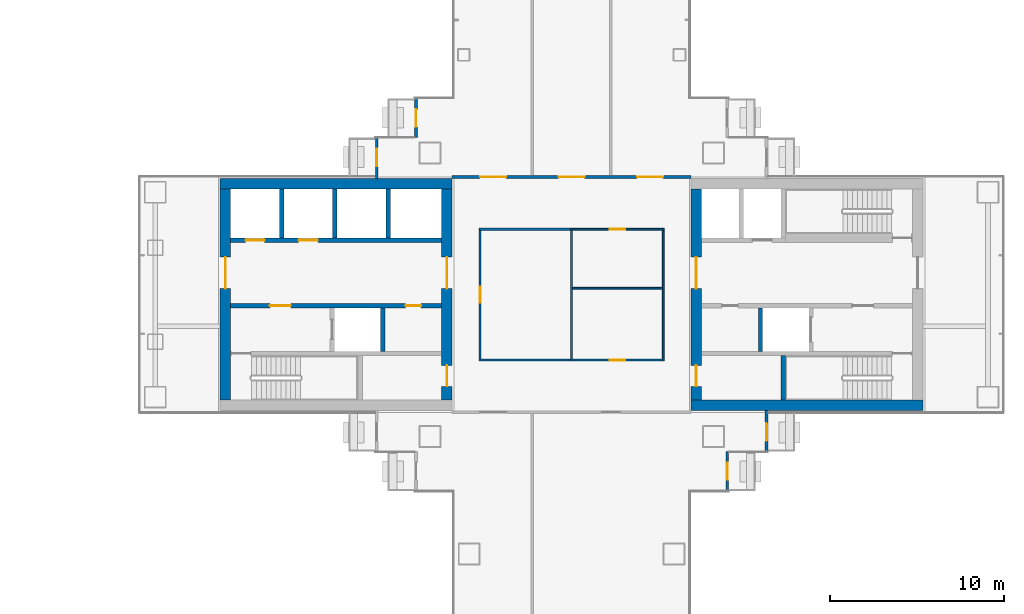
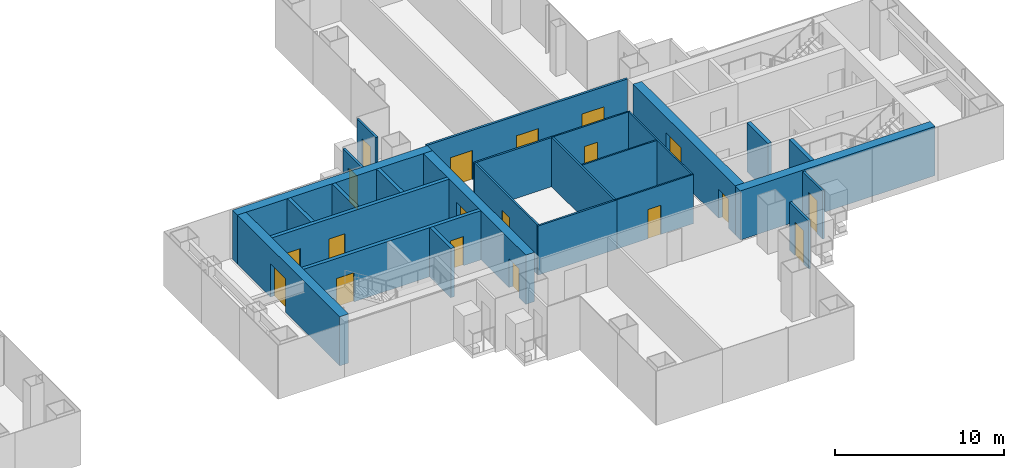
# One storey, part 15 of 20: 26 walls, 19 doors, 19 openings.
"""IFC4 building model written with IfcOpenShell, lengths in metres."""

from ifc_helpers import new_model, si_unit, direction, frame, frame_2d, origin, place, context, subcontext, project, spatial, rectangle, extrude, material, layer, layer_set, type_object, element, fill, save


model = new_model("IFC4")

# Units and contexts
model_context = context("Model", 3, precision=1e-05, world=origin(), true_north=direction((0.0, 1.0)))
body_context = subcontext(model_context, "Body", "Model", "MODEL_VIEW")
ifc_project = project(units=[si_unit("LENGTHUNIT", "METRE"), si_unit("AREAUNIT", "SQUARE_METRE"), si_unit("VOLUMEUNIT", "CUBIC_METRE"), si_unit("PLANEANGLEUNIT", "RADIAN"), si_unit("MASSUNIT", "GRAM", prefix="KILO")], contexts=[model_context])

# Site, building, storey
site_placement = place(None, origin())
site = spatial("IfcSite", under=ifc_project, at=site_placement, CompositionType="ELEMENT")
building_placement = place(site_placement, origin())
building = spatial("IfcBuilding", under=site, at=building_placement, Name="Shamsa Quay Exchange Towers", CompositionType="ELEMENT")
storey_placement = place(building_placement, frame((0.0, 0.0, 120.89990234375)))
storey = spatial("IfcBuildingStorey", under=building, at=storey_placement, Name="L28", CompositionType="ELEMENT", Elevation=120.89990234375)

# Wall, opening, door
ifc_material_1 = material(Name="Aluminium EN AW-6063 T6, black anodised, with black enamelled glass infill", Category="aluminium")
ifc_layer_1 = layer(ifc_material_1, 0.14990234375)
ifc_layer_set_1 = layer_set([ifc_layer_1], Name="BALCONY DOOR BAY WALL 150")
wall_type_1 = type_object("IfcWallType", Name="BALCONY DOOR BAY WALL 150", PredefinedType="SOLIDWALL", material=ifc_layer_set_1)
wall_1_placement = place(storey_placement, frame((24.824951171875, 9.0, 0.0), z_axis=(0.0, 0.0, 1.0), x_axis=(0.0, 1.0, 0.0)))
wall_1 = element("IfcWall", 1, at=wall_1_placement, inside=storey, type_object=wall_type_1, Name="Door bay T2-PKEN L28", PredefinedType="SOLIDWALL", context=body_context, shape_type="SweptSolid", body=[
    extrude(rectangle(XDim=2.25, YDim=0.14990234375, at=frame_2d((1.125, 0.0))), origin(), (0.0, 0.0, 1.0), 3.4501953125),
])
opening_1_placement = place(wall_1_placement, frame((0.625, 0.0, 0.0)))
opening_1 = element("IfcOpeningElement", 2, at=opening_1_placement, cuts=wall_1, Name="Opening XD177", PredefinedType="OPENING", context=body_context, shape_type="SweptSolid", body=[
    extrude(rectangle(XDim=1.0, YDim=2.39990234375, at=frame_2d((0.5, 1.199951171875))), frame((0.0, 0.0849609375, 0.0), z_axis=(0.0, -1.0, 0.0), x_axis=(1.0, 0.0, 0.0)), (0.0, 0.0, 1.0), 0.169921875),
])
ifc_material_2 = material(Name="Aluminium EN AW-6063 T6, black anodised, with laminated glass leaf", Category="aluminium")
door_type_1 = type_object("IfcDoorType", Name="BALCONY DOOR 1000x2400", OperationType="SINGLE_SWING_LEFT", PredefinedType="DOOR", material=ifc_material_2)
door_1_placement = place(opening_1_placement, origin())
door_1 = element("IfcDoor", 3, at=door_1_placement, inside=storey, type_object=door_type_1, Name="Balcony door T2-PKEN L28", OperationType="SINGLE_SWING_RIGHT", OverallHeight=2.39990234375, OverallWidth=1.0, PredefinedType="DOOR", context=body_context, shape_type="SweptSolid", body=[
    extrude(rectangle(XDim=1.0, YDim=2.39990234375, at=frame_2d((0.5, 1.199951171875))), frame((0.0, 0.02490234375, 0.0), z_axis=(0.0, -1.0, 0.0), x_axis=(1.0, 0.0, 0.0)), (0.0, 0.0, 1.0), 0.050048828125),
])
fill(opening_1, door_1)

wall_2_placement = place(storey_placement, frame((22.574951171875, 6.64306640625, 0.0), z_axis=(0.0, 0.0, 1.0), x_axis=(0.0, 1.0, 0.0)))
wall_2 = element("IfcWall", 4, at=wall_2_placement, inside=storey, type_object=wall_type_1, Name="Door bay T2-PKEN L28", PredefinedType="SOLIDWALL", context=body_context, shape_type="SweptSolid", body=[
    extrude(rectangle(XDim=2.35693359375, YDim=0.14990234375, at=frame_2d((1.178466796875, 0.0))), origin(), (0.0, 0.0, 1.0), 3.4501953125),
])
opening_2_placement = place(wall_2_placement, frame((0.73193359375, 0.0, 0.0)))
opening_2 = element("IfcOpeningElement", 5, at=opening_2_placement, cuts=wall_2, Name="Opening XD178", PredefinedType="OPENING", context=body_context, shape_type="SweptSolid", body=[
    extrude(rectangle(XDim=1.0, YDim=2.39990234375, at=frame_2d((0.5, 1.199951171875))), frame((0.0, 0.0849609375, 0.0), z_axis=(0.0, -1.0, 0.0), x_axis=(1.0, 0.0, 0.0)), (0.0, 0.0, 1.0), 0.169921875),
])
door_2_placement = place(opening_2_placement, origin())
door_2 = element("IfcDoor", 6, at=door_2_placement, inside=storey, type_object=door_type_1, Name="Balcony door T2-PKEN L28", OperationType="SINGLE_SWING_LEFT", OverallHeight=2.39990234375, OverallWidth=1.0, PredefinedType="DOOR", context=body_context, shape_type="SweptSolid", body=[
    extrude(rectangle(XDim=1.0, YDim=2.39990234375, at=frame_2d((0.5, 1.199951171875))), frame((0.0, 0.02490234375, 0.0), z_axis=(0.0, -1.0, 0.0), x_axis=(1.0, 0.0, 0.0)), (0.0, 0.0, 1.0), 0.050048828125),
])
fill(opening_2, door_2)

wall_3_placement = place(storey_placement, frame((42.675048828125, -9.0, 0.0), z_axis=(0.0, 0.0, 1.0), x_axis=(0.0, -1.0, 0.0)))
wall_3 = element("IfcWall", 7, at=wall_3_placement, inside=storey, type_object=wall_type_1, Name="Door bay T2-PKWS L28", PredefinedType="SOLIDWALL", context=body_context, shape_type="SweptSolid", body=[
    extrude(rectangle(XDim=2.25, YDim=0.14990234375, at=frame_2d((1.125, 0.0))), origin(), (0.0, 0.0, 1.0), 3.4501953125),
])
opening_3_placement = place(wall_3_placement, frame((0.625, 0.0, 0.0)))
opening_3 = element("IfcOpeningElement", 8, at=opening_3_placement, cuts=wall_3, Name="Opening XD183", PredefinedType="OPENING", context=body_context, shape_type="SweptSolid", body=[
    extrude(rectangle(XDim=1.0, YDim=2.39990234375, at=frame_2d((0.5, 1.199951171875))), frame((0.0, 0.0849609375, 0.0), z_axis=(0.0, -1.0, 0.0), x_axis=(1.0, 0.0, 0.0)), (0.0, 0.0, 1.0), 0.169921875),
])
door_3_placement = place(opening_3_placement, origin())
door_3 = element("IfcDoor", 9, at=door_3_placement, inside=storey, type_object=door_type_1, Name="Balcony door T2-PKWS L28", OperationType="SINGLE_SWING_LEFT", OverallHeight=2.39990234375, OverallWidth=1.0, PredefinedType="DOOR", context=body_context, shape_type="SweptSolid", body=[
    extrude(rectangle(XDim=1.0, YDim=2.39990234375, at=frame_2d((0.5, 1.199951171875))), frame((0.0, 0.02490234375, 0.0), z_axis=(0.0, -1.0, 0.0), x_axis=(1.0, 0.0, 0.0)), (0.0, 0.0, 1.0), 0.050048828125),
])
fill(opening_3, door_3)

wall_4_placement = place(storey_placement, frame((44.925048828125, -6.64306640625, 0.0), z_axis=(0.0, 0.0, 1.0), x_axis=(0.0, -1.0, 0.0)))
wall_4 = element("IfcWall", 10, at=wall_4_placement, inside=storey, type_object=wall_type_1, Name="Door bay T2-PKWS L28", PredefinedType="SOLIDWALL", context=body_context, shape_type="SweptSolid", body=[
    extrude(rectangle(XDim=2.35693359375, YDim=0.14990234375, at=frame_2d((1.178466796875, 0.0))), origin(), (0.0, 0.0, 1.0), 3.4501953125),
])
opening_4_placement = place(wall_4_placement, frame((0.73193359375, 0.0, 0.0)))
opening_4 = element("IfcOpeningElement", 11, at=opening_4_placement, cuts=wall_4, Name="Opening XD184", PredefinedType="OPENING", context=body_context, shape_type="SweptSolid", body=[
    extrude(rectangle(XDim=1.0, YDim=2.39990234375, at=frame_2d((0.5, 1.199951171875))), frame((0.0, 0.0849609375, 0.0), z_axis=(0.0, -1.0, 0.0), x_axis=(1.0, 0.0, 0.0)), (0.0, 0.0, 1.0), 0.169921875),
])
door_4_placement = place(opening_4_placement, origin())
door_4 = element("IfcDoor", 12, at=door_4_placement, inside=storey, type_object=door_type_1, Name="Balcony door T2-PKWS L28", OperationType="SINGLE_SWING_RIGHT", OverallHeight=2.39990234375, OverallWidth=1.0, PredefinedType="DOOR", context=body_context, shape_type="SweptSolid", body=[
    extrude(rectangle(XDim=1.0, YDim=2.39990234375, at=frame_2d((0.5, 1.199951171875))), frame((0.0, 0.02490234375, 0.0), z_axis=(0.0, -1.0, 0.0), x_axis=(1.0, 0.0, 0.0)), (0.0, 0.0, 1.0), 0.050048828125),
])
fill(opening_4, door_4)

# Wall
ifc_material_3 = material(Name="Concrete C70/85", Category="concrete")
ifc_layer_2 = layer(ifc_material_3, 0.60009765625)
ifc_layer_set_2 = layer_set([ifc_layer_2], Name="CORE WALL 600 C70/85")
wall_type_2 = type_object("IfcWallType", Name="CORE WALL 600 C70/85", PredefinedType="SHEAR", material=ifc_layer_set_2)
wall_5_placement = place(storey_placement, frame((13.60009765625, 6.35009765625, 0.0)))
element("IfcWall", 13, at=wall_5_placement, inside=storey, type_object=wall_type_2, Name="Core wall T2A-R13-PN", PredefinedType="SHEAR", context=body_context, shape_type="SweptSolid", body=[
    extrude(rectangle(XDim=13.2998046875, YDim=0.60009765625, at=frame_2d((6.64990234375, 0.0))), origin(), (0.0, 0.0, 1.0), 3.550048828125),
])

# Wall, opening, door
wall_6_placement = place(storey_placement, frame((13.89990234375, 6.050048828125, 0.0), z_axis=(0.0, 0.0, 1.0), x_axis=(0.0, -1.0, 0.0)))
wall_6 = element("IfcWall", 14, at=wall_6_placement, inside=storey, type_object=wall_type_2, Name="Core wall T2A-R13-PF", PredefinedType="SHEAR", context=body_context, shape_type="SweptSolid", body=[
    extrude(rectangle(XDim=12.10009765625, YDim=0.60009765625, at=frame_2d((6.050048828125, 0.0))), origin(), (0.0, 0.0, 1.0), 3.550048828125),
])
opening_5_placement = place(wall_6_placement, frame((3.89990234375, 0.0, 0.0)))
opening_5 = element("IfcOpeningElement", 15, at=opening_5_placement, cuts=wall_6, Name="Opening T2A-R13-LBD01", PredefinedType="OPENING", context=body_context, shape_type="SweptSolid", body=[
    extrude(rectangle(XDim=1.800048828125, YDim=2.39990234375, at=frame_2d((0.89990234375, 1.199951171875))), frame((0.0, 0.31005859375, 0.0), z_axis=(0.0, -1.0, 0.0), x_axis=(1.0, 0.0, 0.0)), (0.0, 0.0, 1.0), 0.6201171875),
])
ifc_material_4 = material(Name="Steel, fire rated", Category="steel")
door_type_2 = type_object("IfcDoorType", Name="LIFT LOBBY DOOR PAIR 1800", OperationType="DOUBLE_DOOR_SINGLE_SWING", PredefinedType="DOOR", material=ifc_material_4)
door_5_placement = place(opening_5_placement, origin())
door_5 = element("IfcDoor", 16, at=door_5_placement, inside=storey, type_object=door_type_2, Name="T2A-R13-LBD01", OperationType="DOUBLE_DOOR_SINGLE_SWING", OverallHeight=2.39990234375, OverallWidth=1.800048828125, PredefinedType="DOOR", context=body_context, shape_type="SweptSolid", body=[
    extrude(rectangle(XDim=1.800048828125, YDim=2.39990234375, at=frame_2d((0.89990234375, 1.199951171875))), frame((0.0, 0.02490234375, 0.0), z_axis=(0.0, -1.0, 0.0), x_axis=(1.0, 0.0, 0.0)), (0.0, 0.0, 1.0), 0.050048828125),
])
fill(opening_5, door_5)

# Wall, openings, doors
wall_7_placement = place(storey_placement, frame((26.60009765625, 6.050048828125, 0.0), z_axis=(0.0, 0.0, 1.0), x_axis=(0.0, -1.0, 0.0)))
wall_7 = element("IfcWall", 17, at=wall_7_placement, inside=storey, type_object=wall_type_2, Name="Core wall T2A-R13-PB", PredefinedType="SHEAR", context=body_context, shape_type="SweptSolid", body=[
    extrude(rectangle(XDim=12.10009765625, YDim=0.60009765625, at=frame_2d((6.050048828125, 0.0))), origin(), (0.0, 0.0, 1.0), 3.550048828125),
])
opening_6_placement = place(wall_7_placement, frame((10.10009765625, 0.0, 0.0)))
opening_6 = element("IfcOpeningElement", 18, at=opening_6_placement, cuts=wall_7, Name="Opening T2A-R13-RD02", PredefinedType="OPENING", context=body_context, shape_type="SweptSolid", body=[
    extrude(rectangle(XDim=1.199951171875, YDim=2.10009765625, at=frame_2d((0.60009765625, 1.050048828125))), frame((0.0, 0.31005859375, 0.0), z_axis=(0.0, -1.0, 0.0), x_axis=(1.0, 0.0, 0.0)), (0.0, 0.0, 1.0), 0.6201171875),
])
opening_7_placement = place(wall_7_placement, frame((3.89990234375, 0.0, 0.0)))
opening_7 = element("IfcOpeningElement", 19, at=opening_7_placement, cuts=wall_7, Name="Opening T2A-R13-LBD03", PredefinedType="OPENING", context=body_context, shape_type="SweptSolid", body=[
    extrude(rectangle(XDim=1.800048828125, YDim=2.39990234375, at=frame_2d((0.89990234375, 1.199951171875))), frame((0.0, 0.31005859375, 0.0), z_axis=(0.0, -1.0, 0.0), x_axis=(1.0, 0.0, 0.0)), (0.0, 0.0, 1.0), 0.6201171875),
])
door_6_placement = place(opening_7_placement, origin())
door_6 = element("IfcDoor", 20, at=door_6_placement, inside=storey, type_object=door_type_2, Name="T2A-R13-LBD03", OperationType="DOUBLE_DOOR_SINGLE_SWING", OverallHeight=2.39990234375, OverallWidth=1.800048828125, PredefinedType="DOOR", context=body_context, shape_type="SweptSolid", body=[
    extrude(rectangle(XDim=1.800048828125, YDim=2.39990234375, at=frame_2d((0.89990234375, 1.199951171875))), frame((0.0, 0.02490234375, 0.0), z_axis=(0.0, -1.0, 0.0), x_axis=(1.0, 0.0, 0.0)), (0.0, 0.0, 1.0), 0.050048828125),
])
fill(opening_7, door_6)
door_type_3 = type_object("IfcDoorType", Name="RISER ACCESS DOOR 1200", OperationType="SINGLE_SWING_LEFT", PredefinedType="DOOR", material=ifc_material_4)
door_7_placement = place(opening_6_placement, origin())
door_7 = element("IfcDoor", 21, at=door_7_placement, inside=storey, type_object=door_type_3, Name="T2A-R13-RD02", OperationType="SINGLE_SWING_RIGHT", OverallHeight=2.10009765625, OverallWidth=1.199951171875, PredefinedType="DOOR", context=body_context, shape_type="SweptSolid", body=[
    extrude(rectangle(XDim=1.199951171875, YDim=2.10009765625, at=frame_2d((0.60009765625, 1.050048828125))), frame((0.0, 0.02490234375, 0.0), z_axis=(0.0, -1.0, 0.0), x_axis=(1.0, 0.0, 0.0)), (0.0, 0.0, 1.0), 0.050048828125),
])
fill(opening_6, door_7)

# Wall
wall_8_placement = place(storey_placement, frame((53.89990234375, -6.35009765625, 0.0), z_axis=(0.0, 0.0, 1.0), x_axis=(-1.0, 0.0, 0.0)))
element("IfcWall", 22, at=wall_8_placement, inside=storey, type_object=wall_type_2, Name="Core wall T2B-R13-PS", PredefinedType="SHEAR", context=body_context, shape_type="SweptSolid", body=[
    extrude(rectangle(XDim=13.2998046875, YDim=0.60009765625, at=frame_2d((6.64990234375, 0.0))), origin(), (0.0, 0.0, 1.0), 3.550048828125),
])

# Wall, openings, doors
wall_9_placement = place(storey_placement, frame((40.89990234375, -6.050048828125, 0.0), z_axis=(0.0, 0.0, 1.0), x_axis=(0.0, 1.0, 0.0)))
wall_9 = element("IfcWall", 23, at=wall_9_placement, inside=storey, type_object=wall_type_2, Name="Core wall T2B-R13-PB", PredefinedType="SHEAR", context=body_context, shape_type="SweptSolid", body=[
    extrude(rectangle(XDim=12.10009765625, YDim=0.60009765625, at=frame_2d((6.050048828125, 0.0))), origin(), (0.0, 0.0, 1.0), 3.550048828125),
])
opening_8_placement = place(wall_9_placement, frame((0.800048828125, 0.0, 0.0)))
opening_8 = element("IfcOpeningElement", 24, at=opening_8_placement, cuts=wall_9, Name="Opening T2B-R13-RD02", PredefinedType="OPENING", context=body_context, shape_type="SweptSolid", body=[
    extrude(rectangle(XDim=1.199951171875, YDim=2.10009765625, at=frame_2d((0.60009765625, 1.050048828125))), frame((0.0, 0.31005859375, 0.0), z_axis=(0.0, -1.0, 0.0), x_axis=(1.0, 0.0, 0.0)), (0.0, 0.0, 1.0), 0.6201171875),
])
opening_9_placement = place(wall_9_placement, frame((6.39990234375, 0.0, 0.0)))
opening_9 = element("IfcOpeningElement", 25, at=opening_9_placement, cuts=wall_9, Name="Opening T2B-R13-LBD03", PredefinedType="OPENING", context=body_context, shape_type="SweptSolid", body=[
    extrude(rectangle(XDim=1.800048828125, YDim=2.39990234375, at=frame_2d((0.89990234375, 1.199951171875))), frame((0.0, 0.31005859375, 0.0), z_axis=(0.0, -1.0, 0.0), x_axis=(1.0, 0.0, 0.0)), (0.0, 0.0, 1.0), 0.6201171875),
])
door_8_placement = place(opening_9_placement, origin())
door_8 = element("IfcDoor", 26, at=door_8_placement, inside=storey, type_object=door_type_2, Name="T2B-R13-LBD03", OperationType="DOUBLE_DOOR_SINGLE_SWING", OverallHeight=2.39990234375, OverallWidth=1.800048828125, PredefinedType="DOOR", context=body_context, shape_type="SweptSolid", body=[
    extrude(rectangle(XDim=1.800048828125, YDim=2.39990234375, at=frame_2d((0.89990234375, 1.199951171875))), frame((0.0, 0.02490234375, 0.0), z_axis=(0.0, -1.0, 0.0), x_axis=(1.0, 0.0, 0.0)), (0.0, 0.0, 1.0), 0.050048828125),
])
fill(opening_9, door_8)
door_9_placement = place(opening_8_placement, origin())
door_9 = element("IfcDoor", 27, at=door_9_placement, inside=storey, type_object=door_type_3, Name="T2B-R13-RD02", OperationType="SINGLE_SWING_LEFT", OverallHeight=2.10009765625, OverallWidth=1.199951171875, PredefinedType="DOOR", context=body_context, shape_type="SweptSolid", body=[
    extrude(rectangle(XDim=1.199951171875, YDim=2.10009765625, at=frame_2d((0.60009765625, 1.050048828125))), frame((0.0, 0.02490234375, 0.0), z_axis=(0.0, -1.0, 0.0), x_axis=(1.0, 0.0, 0.0)), (0.0, 0.0, 1.0), 0.050048828125),
])
fill(opening_8, door_9)

# Wall
ifc_material_5 = material(Name="Laminated fire-resisting glass in a metal frame", Category="glass")
ifc_layer_3 = layer(ifc_material_5, 0.125)
ifc_layer_set_3 = layer_set([ifc_layer_3], Name="Glazed partition 125 mm EI 60")
wall_type_3 = type_object("IfcWallType", Name="Glazed partition 125 mm EI 60", PredefinedType="PARTITIONING", material=ifc_layer_set_3)
wall_10_placement = place(storey_placement, frame((28.4375, -3.75, 0.0)))
element("IfcWall", 28, at=wall_10_placement, inside=storey, type_object=wall_type_3, Name="Partition T2-R13-W04", PredefinedType="PARTITIONING", context=body_context, shape_type="SweptSolid", body=[
    extrude(rectangle(XDim=5.375, YDim=0.125, at=frame_2d((2.6875, 0.0))), origin(), (0.0, 0.0, 1.0), 3.550048828125),
])

# Wall, opening, door
wall_11_placement = place(storey_placement, frame((28.5, 3.6875, 0.0), z_axis=(0.0, 0.0, 1.0), x_axis=(0.0, -1.0, 0.0)))
wall_11 = element("IfcWall", 29, at=wall_11_placement, inside=storey, type_object=wall_type_3, Name="Partition T2-R13-W05", PredefinedType="PARTITIONING", context=body_context, shape_type="SweptSolid", body=[
    extrude(rectangle(XDim=7.375, YDim=0.125, at=frame_2d((3.6875, 0.0))), origin(), (0.0, 0.0, 1.0), 3.550048828125),
])
opening_10_placement = place(wall_11_placement, frame((3.237548828125, 0.0, 0.0)))
opening_10 = element("IfcOpeningElement", 30, at=opening_10_placement, cuts=wall_11, Name="Opening T2-R13-D06", PredefinedType="OPENING", context=body_context, shape_type="SweptSolid", body=[
    extrude(rectangle(XDim=0.89990234375, YDim=2.10009765625, at=frame_2d((0.449951171875, 1.050048828125))), frame((0.0, 0.072509765625, 0.0), z_axis=(0.0, -1.0, 0.0), x_axis=(1.0, 0.0, 0.0)), (0.0, 0.0, 1.0), 0.14501953125),
])
ifc_material_6 = material(Name="Timber door leaf in a metal frame", Category="wood")
door_type_4 = type_object("IfcDoorType", Name="Door 900x2100 FD30S", OperationType="NOTDEFINED", PredefinedType="DOOR", material=ifc_material_6)
door_10_placement = place(opening_10_placement, origin())
door_10 = element("IfcDoor", 31, at=door_10_placement, inside=storey, type_object=door_type_4, Name="Door T2-R13-D06", OperationType="SINGLE_SWING_RIGHT", OverallHeight=2.10009765625, OverallWidth=0.89990234375, PredefinedType="DOOR", context=body_context, shape_type="SweptSolid", body=[
    extrude(rectangle(XDim=0.89990234375, YDim=2.10009765625, at=frame_2d((0.449951171875, 1.050048828125))), frame((0.0, 0.02490234375, 0.0), z_axis=(0.0, -1.0, 0.0), x_axis=(1.0, 0.0, 0.0)), (0.0, 0.0, 1.0), 0.050048828125),
])
fill(opening_10, door_10)

# Walls
wall_12_placement = place(storey_placement, frame((33.8125, 3.75, 0.0), z_axis=(0.0, 0.0, 1.0), x_axis=(-1.0, 0.0, 0.0)))
element("IfcWall", 32, at=wall_12_placement, inside=storey, type_object=wall_type_3, Name="Partition T2-R13-W06", PredefinedType="PARTITIONING", context=body_context, shape_type="SweptSolid", body=[
    extrude(rectangle(XDim=5.375, YDim=0.125, at=frame_2d((2.6875, 0.0))), origin(), (0.0, 0.0, 1.0), 3.550048828125),
])
wall_13_placement = place(storey_placement, frame((33.75, 3.6875, 0.0), z_axis=(0.0, 0.0, 1.0), x_axis=(0.0, -1.0, 0.0)))
element("IfcWall", 33, at=wall_13_placement, inside=storey, type_object=wall_type_3, Name="Partition T2-R13-W10", PredefinedType="PARTITIONING", context=body_context, shape_type="SweptSolid", body=[
    extrude(rectangle(XDim=7.375, YDim=0.125, at=frame_2d((3.6875, 0.0))), origin(), (0.0, 0.0, 1.0), 3.550048828125),
])
ifc_material_7 = material(Name="Gypsum board partition on metal studs")
ifc_layer_4 = layer(ifc_material_7, 0.10009765625)
ifc_layer_set_4 = layer_set([ifc_layer_4], Name="Partition 100 mm NOT RATED")
wall_type_4 = type_object("IfcWallType", Name="Partition 100 mm NOT RATED", PredefinedType="PARTITIONING", material=ifc_layer_set_4)
wall_14_placement = place(storey_placement, frame((39.0, -3.699951171875, 0.0), z_axis=(0.0, 0.0, 1.0), x_axis=(0.0, 1.0, 0.0)))
element("IfcWall", 34, at=wall_14_placement, inside=storey, type_object=wall_type_4, Name="Partition T2-R13-W01", PredefinedType="PARTITIONING", context=body_context, shape_type="SweptSolid", body=[
    extrude(rectangle(XDim=7.39990234375, YDim=0.10009765625, at=frame_2d((3.699951171875, 0.0))), origin(), (0.0, 0.0, 1.0), 3.550048828125),
])

# Wall, opening, door
wall_15_placement = place(storey_placement, frame((33.6875, -3.75, 0.0)))
wall_15 = element("IfcWall", 35, at=wall_15_placement, inside=storey, type_object=wall_type_4, Name="Partition T2-R13-W02", PredefinedType="PARTITIONING", context=body_context, shape_type="SweptSolid", body=[
    extrude(rectangle(XDim=5.362548828125, YDim=0.10009765625, at=frame_2d((2.68115234375, 0.0))), origin(), (0.0, 0.0, 1.0), 3.550048828125),
])
opening_11_placement = place(wall_15_placement, frame((2.237548828125, 0.0, 0.0)))
opening_11 = element("IfcOpeningElement", 36, at=opening_11_placement, cuts=wall_15, Name="Opening T2-R13-D04", PredefinedType="OPENING", context=body_context, shape_type="SweptSolid", body=[
    extrude(rectangle(XDim=0.89990234375, YDim=2.10009765625, at=frame_2d((0.449951171875, 1.050048828125))), frame((0.0, 0.06005859375, 0.0), z_axis=(0.0, -1.0, 0.0), x_axis=(1.0, 0.0, 0.0)), (0.0, 0.0, 1.0), 0.1201171875),
])
door_type_5 = type_object("IfcDoorType", Name="Door 900x2100 NOT RATED", OperationType="NOTDEFINED", PredefinedType="DOOR", material=ifc_material_6)
door_11_placement = place(opening_11_placement, origin())
door_11 = element("IfcDoor", 37, at=door_11_placement, inside=storey, type_object=door_type_5, Name="Door T2-R13-D04", OperationType="SINGLE_SWING_RIGHT", OverallHeight=2.10009765625, OverallWidth=0.89990234375, PredefinedType="DOOR", context=body_context, shape_type="SweptSolid", body=[
    extrude(rectangle(XDim=0.89990234375, YDim=2.10009765625, at=frame_2d((0.449951171875, 1.050048828125))), frame((0.0, 0.02490234375, 0.0), z_axis=(0.0, -1.0, 0.0), x_axis=(1.0, 0.0, 0.0)), (0.0, 0.0, 1.0), 0.050048828125),
])
fill(opening_11, door_11)

wall_16_placement = place(storey_placement, frame((39.050048828125, 3.75, 0.0), z_axis=(0.0, 0.0, 1.0), x_axis=(-1.0, 0.0, 0.0)))
wall_16 = element("IfcWall", 38, at=wall_16_placement, inside=storey, type_object=wall_type_4, Name="Partition T2-R13-W03", PredefinedType="PARTITIONING", context=body_context, shape_type="SweptSolid", body=[
    extrude(rectangle(XDim=5.362548828125, YDim=0.10009765625, at=frame_2d((2.68115234375, 0.0))), origin(), (0.0, 0.0, 1.0), 3.550048828125),
])
opening_12_placement = place(wall_16_placement, frame((2.22509765625, 0.0, 0.0)))
opening_12 = element("IfcOpeningElement", 39, at=opening_12_placement, cuts=wall_16, Name="Opening T2-R13-D05", PredefinedType="OPENING", context=body_context, shape_type="SweptSolid", body=[
    extrude(rectangle(XDim=0.89990234375, YDim=2.10009765625, at=frame_2d((0.449951171875, 1.050048828125))), frame((0.0, 0.06005859375, 0.0), z_axis=(0.0, -1.0, 0.0), x_axis=(1.0, 0.0, 0.0)), (0.0, 0.0, 1.0), 0.1201171875),
])
door_12_placement = place(opening_12_placement, origin())
door_12 = element("IfcDoor", 40, at=door_12_placement, inside=storey, type_object=door_type_5, Name="Door T2-R13-D05", OperationType="SINGLE_SWING_LEFT", OverallHeight=2.10009765625, OverallWidth=0.89990234375, PredefinedType="DOOR", context=body_context, shape_type="SweptSolid", body=[
    extrude(rectangle(XDim=0.89990234375, YDim=2.10009765625, at=frame_2d((0.449951171875, 1.050048828125))), frame((0.0, 0.02490234375, 0.0), z_axis=(0.0, -1.0, 0.0), x_axis=(1.0, 0.0, 0.0)), (0.0, 0.0, 1.0), 0.050048828125),
])
fill(opening_12, door_12)

# Wall
wall_17_placement = place(storey_placement, frame((38.949951171875, 0.375, 0.0), z_axis=(0.0, 0.0, 1.0), x_axis=(-1.0, 0.0, 0.0)))
element("IfcWall", 41, at=wall_17_placement, inside=storey, type_object=wall_type_4, Name="Partition T2-R13-W09", PredefinedType="PARTITIONING", context=body_context, shape_type="SweptSolid", body=[
    extrude(rectangle(XDim=5.137451171875, YDim=0.10009765625, at=frame_2d((2.56884765625, 0.0))), origin(), (0.0, 0.0, 1.0), 3.550048828125),
])

# Wall, openings, doors
ifc_layer_5 = layer(ifc_material_7, 0.14990234375)
ifc_layer_set_5 = layer_set([ifc_layer_5], Name="Partition 150 mm EI 60")
wall_type_5 = type_object("IfcWallType", Name="Partition 150 mm EI 60", PredefinedType="PARTITIONING", material=ifc_layer_set_5)
wall_18_placement = place(storey_placement, frame((26.89990234375, 6.75, 0.0)))
wall_18 = element("IfcWall", 42, at=wall_18_placement, inside=storey, type_object=wall_type_5, Name="Partition T2-R13-W07", PredefinedType="PARTITIONING", context=body_context, shape_type="SweptSolid", body=[
    extrude(rectangle(XDim=13.7001953125, YDim=0.14990234375, at=frame_2d((6.85009765625, 0.0))), origin(), (0.0, 0.0, 1.0), 3.550048828125),
])
opening_13_placement = place(wall_18_placement, frame((10.60009765625, 0.0, 0.0)))
opening_13 = element("IfcOpeningElement", 43, at=opening_13_placement, cuts=wall_18, Name="Opening T2-R13-D01", PredefinedType="OPENING", context=body_context, shape_type="SweptSolid", body=[
    extrude(rectangle(XDim=1.5, YDim=2.10009765625, at=frame_2d((0.75, 1.050048828125))), frame((0.0, 0.0849609375, 0.0), z_axis=(0.0, -1.0, 0.0), x_axis=(1.0, 0.0, 0.0)), (0.0, 0.0, 1.0), 0.169921875),
])
opening_14_placement = place(wall_18_placement, frame((6.10009765625, 0.0, 0.0)))
opening_14 = element("IfcOpeningElement", 44, at=opening_14_placement, cuts=wall_18, Name="Opening T2-R13-D02", PredefinedType="OPENING", context=body_context, shape_type="SweptSolid", body=[
    extrude(rectangle(XDim=1.5, YDim=2.10009765625, at=frame_2d((0.75, 1.050048828125))), frame((0.0, 0.0849609375, 0.0), z_axis=(0.0, -1.0, 0.0), x_axis=(1.0, 0.0, 0.0)), (0.0, 0.0, 1.0), 0.169921875),
])
opening_15_placement = place(wall_18_placement, frame((1.60009765625, 0.0, 0.0)))
opening_15 = element("IfcOpeningElement", 45, at=opening_15_placement, cuts=wall_18, Name="Opening T2-R13-D03", PredefinedType="OPENING", context=body_context, shape_type="SweptSolid", body=[
    extrude(rectangle(XDim=1.5, YDim=2.10009765625, at=frame_2d((0.75, 1.050048828125))), frame((0.0, 0.0849609375, 0.0), z_axis=(0.0, -1.0, 0.0), x_axis=(1.0, 0.0, 0.0)), (0.0, 0.0, 1.0), 0.169921875),
])
door_type_6 = type_object("IfcDoorType", Name="Door 1500x2100 FD30S pair", OperationType="NOTDEFINED", PredefinedType="DOOR", material=ifc_material_6)
door_13_placement = place(opening_13_placement, origin())
door_13 = element("IfcDoor", 46, at=door_13_placement, inside=storey, type_object=door_type_6, Name="Door T2-R13-D01", OperationType="DOUBLE_DOOR_SINGLE_SWING", OverallHeight=2.10009765625, OverallWidth=1.5, PredefinedType="DOOR", context=body_context, shape_type="SweptSolid", body=[
    extrude(rectangle(XDim=1.5, YDim=2.10009765625, at=frame_2d((0.75, 1.050048828125))), frame((0.0, 0.02490234375, 0.0), z_axis=(0.0, -1.0, 0.0), x_axis=(1.0, 0.0, 0.0)), (0.0, 0.0, 1.0), 0.050048828125),
])
fill(opening_13, door_13)
door_14_placement = place(opening_14_placement, origin())
door_14 = element("IfcDoor", 47, at=door_14_placement, inside=storey, type_object=door_type_6, Name="Door T2-R13-D02", OperationType="DOUBLE_DOOR_SINGLE_SWING", OverallHeight=2.10009765625, OverallWidth=1.5, PredefinedType="DOOR", context=body_context, shape_type="SweptSolid", body=[
    extrude(rectangle(XDim=1.5, YDim=2.10009765625, at=frame_2d((0.75, 1.050048828125))), frame((0.0, 0.02490234375, 0.0), z_axis=(0.0, -1.0, 0.0), x_axis=(1.0, 0.0, 0.0)), (0.0, 0.0, 1.0), 0.050048828125),
])
fill(opening_14, door_14)
door_15_placement = place(opening_15_placement, origin())
door_15 = element("IfcDoor", 48, at=door_15_placement, inside=storey, type_object=door_type_6, Name="Door T2-R13-D03", OperationType="DOUBLE_DOOR_SINGLE_SWING", OverallHeight=2.10009765625, OverallWidth=1.5, PredefinedType="DOOR", context=body_context, shape_type="SweptSolid", body=[
    extrude(rectangle(XDim=1.5, YDim=2.10009765625, at=frame_2d((0.75, 1.050048828125))), frame((0.0, 0.02490234375, 0.0), z_axis=(0.0, -1.0, 0.0), x_axis=(1.0, 0.0, 0.0)), (0.0, 0.0, 1.0), 0.050048828125),
])
fill(opening_15, door_15)

ifc_material_8 = material(Name="Concrete C50/60", Category="concrete")
ifc_layer_6 = layer(ifc_material_8, 0.25)
ifc_layer_set_6 = layer_set([ifc_layer_6], Name="SHAFT WALL 250 C50/60")
wall_type_6 = type_object("IfcWallType", Name="SHAFT WALL 250 C50/60", PredefinedType="SHEAR", material=ifc_layer_set_6)
wall_19_placement = place(storey_placement, frame((26.300048828125, -0.625, 0.0), z_axis=(0.0, 0.0, 1.0), x_axis=(-1.0, 0.0, 0.0)))
wall_19 = element("IfcWall", 49, at=wall_19_placement, inside=storey, type_object=wall_type_6, Name="Shaft wall T2A-R13-B", PredefinedType="SHEAR", context=body_context, shape_type="SweptSolid", body=[
    extrude(rectangle(XDim=12.10009765625, YDim=0.25, at=frame_2d((6.050048828125, 0.0))), origin(), (0.0, 0.0, 1.0), 3.550048828125),
])
opening_16_placement = place(wall_19_placement, frame((8.64990234375, 0.0, 0.0)))
opening_16 = element("IfcOpeningElement", 50, at=opening_16_placement, cuts=wall_19, Name="Opening T2A-R13-FD05", PredefinedType="OPENING", context=body_context, shape_type="SweptSolid", body=[
    extrude(rectangle(XDim=1.199951171875, YDim=2.10009765625, at=frame_2d((0.60009765625, 1.050048828125))), frame((0.0, 0.135009765625, 0.0), z_axis=(0.0, -1.0, 0.0), x_axis=(1.0, 0.0, 0.0)), (0.0, 0.0, 1.0), 0.27001953125),
])
opening_17_placement = place(wall_19_placement, frame((1.175048828125, 0.0, 0.0)))
opening_17 = element("IfcOpeningElement", 51, at=opening_17_placement, cuts=wall_19, Name="Opening T2A-R13-SV06", PredefinedType="OPENING", context=body_context, shape_type="SweptSolid", body=[
    extrude(rectangle(XDim=0.89990234375, YDim=2.10009765625, at=frame_2d((0.449951171875, 1.050048828125))), frame((0.0, 0.135009765625, 0.0), z_axis=(0.0, -1.0, 0.0), x_axis=(1.0, 0.0, 0.0)), (0.0, 0.0, 1.0), 0.27001953125),
])
door_type_7 = type_object("IfcDoorType", Name="FIRE SERVICE LOBBY DOOR 1200", OperationType="SINGLE_SWING_LEFT", PredefinedType="DOOR", material=ifc_material_4)
door_16_placement = place(opening_16_placement, origin())
door_16 = element("IfcDoor", 52, at=door_16_placement, inside=storey, type_object=door_type_7, Name="T2A-R13-FD05", OperationType="SINGLE_SWING_RIGHT", OverallHeight=2.10009765625, OverallWidth=1.199951171875, PredefinedType="DOOR", context=body_context, shape_type="SweptSolid", body=[
    extrude(rectangle(XDim=1.199951171875, YDim=2.10009765625, at=frame_2d((0.60009765625, 1.050048828125))), frame((0.0, 0.02490234375, 0.0), z_axis=(0.0, -1.0, 0.0), x_axis=(1.0, 0.0, 0.0)), (0.0, 0.0, 1.0), 0.050048828125),
])
fill(opening_16, door_16)
door_type_8 = type_object("IfcDoorType", Name="SERVICE ROOM DOOR 900", OperationType="SINGLE_SWING_LEFT", PredefinedType="DOOR", material=ifc_material_4)
door_17_placement = place(opening_17_placement, origin())
door_17 = element("IfcDoor", 53, at=door_17_placement, inside=storey, type_object=door_type_8, Name="T2A-R13-SV06", OperationType="SINGLE_SWING_LEFT", OverallHeight=2.10009765625, OverallWidth=0.89990234375, PredefinedType="DOOR", context=body_context, shape_type="SweptSolid", body=[
    extrude(rectangle(XDim=0.89990234375, YDim=2.10009765625, at=frame_2d((0.449951171875, 1.050048828125))), frame((0.0, 0.02490234375, 0.0), z_axis=(0.0, -1.0, 0.0), x_axis=(1.0, 0.0, 0.0)), (0.0, 0.0, 1.0), 0.050048828125),
])
fill(opening_17, door_17)

# Wall
wall_20_placement = place(storey_placement, frame((22.925048828125, -3.25, 0.0), z_axis=(0.0, 0.0, 1.0), x_axis=(0.0, 1.0, 0.0)))
element("IfcWall", 54, at=wall_20_placement, inside=storey, type_object=wall_type_6, Name="Shaft wall T2A-R13-FFB", PredefinedType="SHEAR", context=body_context, shape_type="SweptSolid", body=[
    extrude(rectangle(XDim=2.5, YDim=0.25, at=frame_2d((1.25, 0.0))), origin(), (0.0, 0.0, 1.0), 3.550048828125),
])

# Wall, openings, doors
wall_21_placement = place(storey_placement, frame((14.199951171875, 3.125, 0.0)))
wall_21 = element("IfcWall", 55, at=wall_21_placement, inside=storey, type_object=wall_type_6, Name="Shaft wall T2A-R13-N", PredefinedType="SHEAR", context=body_context, shape_type="SweptSolid", body=[
    extrude(rectangle(XDim=12.10009765625, YDim=0.25, at=frame_2d((6.050048828125, 0.0))), origin(), (0.0, 0.0, 1.0), 3.550048828125),
])
opening_18_placement = place(wall_21_placement, frame((0.85009765625, 0.0, 0.0)))
opening_18 = element("IfcOpeningElement", 56, at=opening_18_placement, cuts=wall_21, Name="Opening T2A-R13-LD08", PredefinedType="OPENING", context=body_context, shape_type="SweptSolid", body=[
    extrude(rectangle(XDim=1.10009765625, YDim=2.10009765625, at=frame_2d((0.550048828125, 1.050048828125))), frame((0.0, 0.135009765625, 0.0), z_axis=(0.0, -1.0, 0.0), x_axis=(1.0, 0.0, 0.0)), (0.0, 0.0, 1.0), 0.27001953125),
])
opening_19_placement = place(wall_21_placement, frame((3.89990234375, 0.0, 0.0)))
opening_19 = element("IfcOpeningElement", 57, at=opening_19_placement, cuts=wall_21, Name="Opening T2A-R13-LD09", PredefinedType="OPENING", context=body_context, shape_type="SweptSolid", body=[
    extrude(rectangle(XDim=1.10009765625, YDim=2.10009765625, at=frame_2d((0.550048828125, 1.050048828125))), frame((0.0, 0.135009765625, 0.0), z_axis=(0.0, -1.0, 0.0), x_axis=(1.0, 0.0, 0.0)), (0.0, 0.0, 1.0), 0.27001953125),
])
door_type_9 = type_object("IfcDoorType", Name="LANDING DOOR 1100", OperationType="SLIDING_TO_LEFT", PredefinedType="DOOR", material=ifc_material_4)
door_18_placement = place(opening_18_placement, origin())
door_18 = element("IfcDoor", 58, at=door_18_placement, inside=storey, type_object=door_type_9, Name="T2A-R13-LD08", OperationType="SLIDING_TO_LEFT", OverallHeight=2.10009765625, OverallWidth=1.10009765625, PredefinedType="DOOR", context=body_context, shape_type="SweptSolid", body=[
    extrude(rectangle(XDim=1.10009765625, YDim=2.10009765625, at=frame_2d((0.550048828125, 1.050048828125))), frame((0.0, 0.02490234375, 0.0), z_axis=(0.0, -1.0, 0.0), x_axis=(1.0, 0.0, 0.0)), (0.0, 0.0, 1.0), 0.050048828125),
])
fill(opening_18, door_18)
door_19_placement = place(opening_19_placement, origin())
door_19 = element("IfcDoor", 59, at=door_19_placement, inside=storey, type_object=door_type_9, Name="T2A-R13-LD09", OperationType="SLIDING_TO_LEFT", OverallHeight=2.10009765625, OverallWidth=1.10009765625, PredefinedType="DOOR", context=body_context, shape_type="SweptSolid", body=[
    extrude(rectangle(XDim=1.10009765625, YDim=2.10009765625, at=frame_2d((0.550048828125, 1.050048828125))), frame((0.0, 0.02490234375, 0.0), z_axis=(0.0, -1.0, 0.0), x_axis=(1.0, 0.0, 0.0)), (0.0, 0.0, 1.0), 0.050048828125),
])
fill(opening_19, door_19)

# Walls
for number, where, z_axis, x_axis, name in (
    (60, (17.125, 3.25, 0.0), (0.0, 0.0, 1.0), (0.0, 1.0, 0.0), "Shaft wall T2A-R13-D0"),
    (61, (20.175048828125, 3.25, 0.0), (0.0, 0.0, 1.0), (0.0, 1.0, 0.0), "Shaft wall T2A-R13-D1"),
    (62, (23.22509765625, 3.25, 0.0), (0.0, 0.0, 1.0), (0.0, 1.0, 0.0), "Shaft wall T2A-R13-D2"),
):
    element("IfcWall", number, at=place(storey_placement, frame(where, z_axis=z_axis, x_axis=x_axis)), inside=storey, type_object=wall_type_6, Name=name, PredefinedType="SHEAR", context=body_context, shape_type="SweptSolid", body=[
        extrude(rectangle(XDim=2.800048828125, YDim=0.25, at=frame_2d((1.39990234375, 0.0))), origin(), (0.0, 0.0, 1.0), 3.550048828125),
    ])
wall_22_placement = place(storey_placement, frame((45.875, -6.050048828125, 0.0), z_axis=(0.0, 0.0, 1.0), x_axis=(0.0, 1.0, 0.0)))
element("IfcWall", 63, at=wall_22_placement, inside=storey, type_object=wall_type_6, Name="Shaft wall T2B-R13-STF", PredefinedType="SHEAR", context=body_context, shape_type="SweptSolid", body=[
    extrude(rectangle(XDim=2.550048828125, YDim=0.25, at=frame_2d((1.27490234375, 0.0))), origin(), (0.0, 0.0, 1.0), 3.550048828125),
])
wall_23_placement = place(storey_placement, frame((44.574951171875, -3.25, 0.0), z_axis=(0.0, 0.0, 1.0), x_axis=(0.0, 1.0, 0.0)))
element("IfcWall", 64, at=wall_23_placement, inside=storey, type_object=wall_type_6, Name="Shaft wall T2B-R13-FFB", PredefinedType="SHEAR", context=body_context, shape_type="SweptSolid", body=[
    extrude(rectangle(XDim=2.5, YDim=0.25, at=frame_2d((1.25, 0.0))), origin(), (0.0, 0.0, 1.0), 3.550048828125),
])

save(model, "model.ifc")
